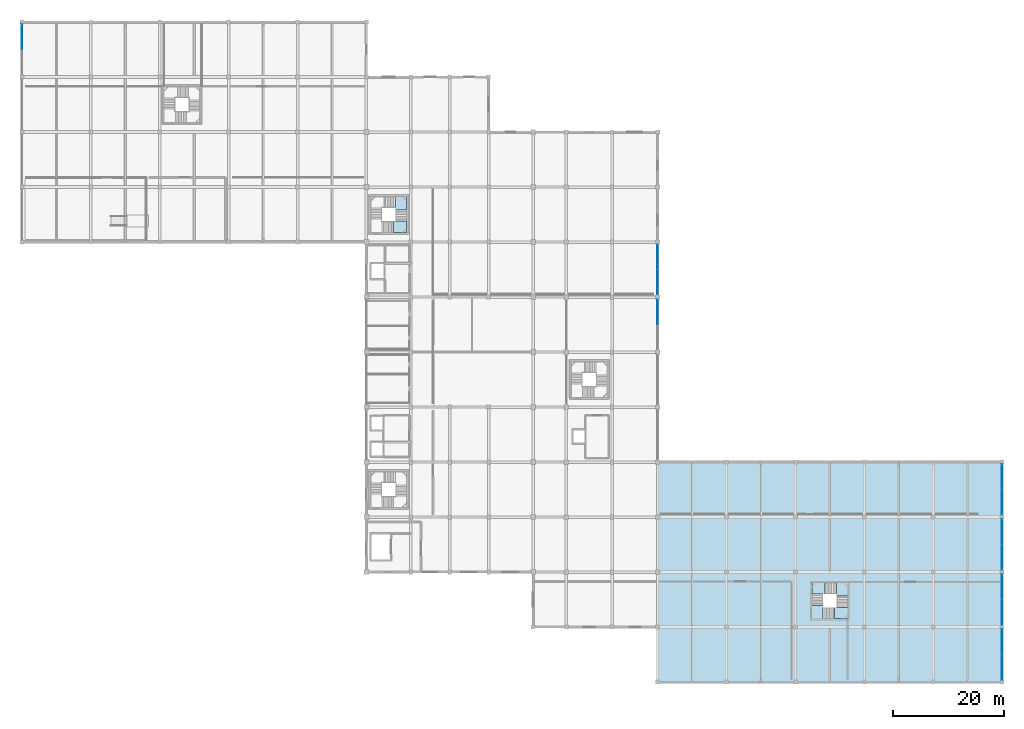
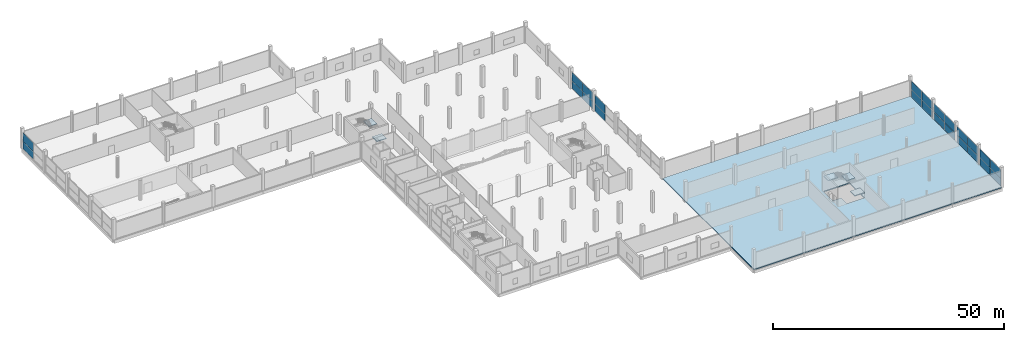
# One storey, part 41 of 72: 24 plates, 6 slabs, 9 elements without a shape of their own.
"""IFC4 building model written with IfcOpenShell, lengths in metres."""

from ifc_helpers import new_model, si_unit, direction, frame, origin, origin_2d, place, context, subcontext, project, spatial, polyline, rectangle, outline, extrude, material, layer, layer_set, type_object, element, aggregate, save


model = new_model("IFC4")

# Units and contexts
model_context = context("Model", 3, precision=1e-05, world=origin(), true_north=direction((0.0, 1.0)))
body_context = subcontext(model_context, "Body", "Model", "MODEL_VIEW")
ifc_project = project(units=[si_unit("LENGTHUNIT", "METRE"), si_unit("AREAUNIT", "SQUARE_METRE"), si_unit("VOLUMEUNIT", "CUBIC_METRE"), si_unit("PLANEANGLEUNIT", "RADIAN"), si_unit("MASSUNIT", "GRAM", prefix="KILO")], contexts=[model_context])

# Site, building, storey
site_placement = place(None, origin())
site = spatial("IfcSite", under=ifc_project, at=site_placement, CompositionType="ELEMENT")
building_placement = place(site_placement, origin())
building = spatial("IfcBuilding", under=site, at=building_placement, Name="Sillaruma Civic Art Gallery", CompositionType="ELEMENT")
storey_placement = place(building_placement, frame((0.0, 0.0, 10.8798828125)))
storey = spatial("IfcBuildingStorey", under=building, at=storey_placement, Name="L02", CompositionType="ELEMENT", Elevation=10.8798828125)

# Curtain wall, plates
ifc_material_1 = material(Name="Thermally Broken Extruded Aluminium 6063-T6", Category="aluminium")
ifc_layer_1 = layer(ifc_material_1, 0.139892578125, Name="Thermally Broken Extruded Aluminium 6063-T6")
ifc_layer_set_1 = layer_set([ifc_layer_1], Name="Thermally Broken Extruded Aluminium 6063-T6")
curtain_wall_type_1 = type_object("IfcCurtainWallType", Name="CW-UNI-18", PredefinedType="NOTDEFINED", material=ifc_layer_set_1)
curtain_wall_1_placement = place(storey_placement, origin())
curtain_wall_1 = element("IfcCurtainWall", 1, at=curtain_wall_1_placement, inside=storey, type_object=curtain_wall_type_1, Name="Unitised Curtain Wall CW-18 (CW-L02-SPE-6)", PredefinedType="NOTDEFINED")
ifc_material_2 = material(Name="Low-E UV-Filtered Laminated Insulating Glass", Category="glass")
ifc_layer_2 = layer(ifc_material_2, 0.028076171875, Name="Low-E UV-Filtered Laminated Insulating Glass")
ifc_layer_set_2 = layer_set([ifc_layer_2], Name="Low-E UV-Filtered Laminated Insulating Glass")
plate_type_1 = type_object("IfcPlateType", Name="PNL-GLZ-28", PredefinedType="CURTAIN_PANEL", material=ifc_layer_set_2)
plate_1_placement = place(storey_placement, frame((114.39990234375, 71.989990234375, 0.06005859375), z_axis=(0.0, 0.0, 1.0), x_axis=(0.0, 1.0, 0.0)))
plate_1 = element("IfcPlate", 2, at=plate_1_placement, type_object=plate_type_1, Name="CW-18 panel 1.1", PredefinedType="CURTAIN_PANEL", context=body_context, shape_type="SweptSolid", body=[
    extrude(rectangle(XDim=4.4599609375, YDim=0.028076171875, at=origin_2d()), origin(), (0.0, 0.0, 1.0), 1.9248046875),
])
plate_2_placement = place(storey_placement, frame((114.39990234375, 71.989990234375, 2.044921875), z_axis=(0.0, 0.0, 1.0), x_axis=(0.0, 1.0, 0.0)))
plate_2 = element("IfcPlate", 3, at=plate_2_placement, type_object=plate_type_1, Name="CW-18 panel 1.2", PredefinedType="CURTAIN_PANEL", context=body_context, shape_type="SweptSolid", body=[
    extrude(rectangle(XDim=4.4599609375, YDim=0.028076171875, at=origin_2d()), origin(), (0.0, 0.0, 1.0), 2.275146484375),
])
plate_3_placement = place(storey_placement, frame((114.39990234375, 76.510009765625, 0.06005859375), z_axis=(0.0, 0.0, 1.0), x_axis=(0.0, 1.0, 0.0)))
plate_3 = element("IfcPlate", 4, at=plate_3_placement, type_object=plate_type_1, Name="CW-18 panel 2.1", PredefinedType="CURTAIN_PANEL", context=body_context, shape_type="SweptSolid", body=[
    extrude(rectangle(XDim=4.4599609375, YDim=0.028076171875, at=origin_2d()), origin(), (0.0, 0.0, 1.0), 1.9248046875),
])
plate_4_placement = place(storey_placement, frame((114.39990234375, 76.510009765625, 2.044921875), z_axis=(0.0, 0.0, 1.0), x_axis=(0.0, 1.0, 0.0)))
plate_4 = element("IfcPlate", 5, at=plate_4_placement, type_object=plate_type_1, Name="CW-18 panel 2.2", PredefinedType="CURTAIN_PANEL", context=body_context, shape_type="SweptSolid", body=[
    extrude(rectangle(XDim=4.4599609375, YDim=0.028076171875, at=origin_2d()), origin(), (0.0, 0.0, 1.0), 2.275146484375),
])
aggregate(curtain_wall_1, [plate_1, plate_2, plate_3, plate_4])

ifc_layer_3 = layer(ifc_material_1, 0.159912109375, Name="Thermally Broken Extruded Aluminium 6063-T6")
ifc_layer_set_3 = layer_set([ifc_layer_3], Name="Thermally Broken Extruded Aluminium 6063-T6")
curtain_wall_type_2 = type_object("IfcCurtainWallType", Name="CW-UNI-10", PredefinedType="NOTDEFINED", material=ifc_layer_set_3)
curtain_wall_2_placement = place(storey_placement, origin())
curtain_wall_2 = element("IfcCurtainWall", 6, at=curtain_wall_2_placement, inside=storey, type_object=curtain_wall_type_2, Name="Unitised Curtain Wall CW-10 (CW-L02-ESTR-1)", PredefinedType="NOTDEFINED")
ifc_layer_4 = layer(ifc_material_2, 0.030029296875, Name="Low-E UV-Filtered Laminated Insulating Glass")
ifc_layer_set_4 = layer_set([ifc_layer_4], Name="Low-E UV-Filtered Laminated Insulating Glass")
plate_type_2 = type_object("IfcPlateType", Name="PNL-GLZ-30", PredefinedType="CURTAIN_PANEL", material=ifc_layer_set_4)
plate_5_placement = place(storey_placement, frame((176.39990234375, 2.666259765625, 0.06005859375), z_axis=(0.0, 0.0, 1.0), x_axis=(0.0, 1.0, 0.0)))
plate_5 = element("IfcPlate", 7, at=plate_5_placement, type_object=plate_type_2, Name="CW-10 panel 1.1", PredefinedType="CURTAIN_PANEL", context=body_context, shape_type="SweptSolid", body=[
    extrude(rectangle(XDim=4.50244140625, YDim=0.030029296875, at=origin_2d()), origin(), (0.0, 0.0, 1.0), 1.9248046875),
])
plate_6_placement = place(storey_placement, frame((176.39990234375, 2.666259765625, 2.044921875), z_axis=(0.0, 0.0, 1.0), x_axis=(0.0, 1.0, 0.0)))
plate_6 = element("IfcPlate", 8, at=plate_6_placement, type_object=plate_type_2, Name="CW-10 panel 1.2", PredefinedType="CURTAIN_PANEL", context=body_context, shape_type="SweptSolid", body=[
    extrude(rectangle(XDim=4.50244140625, YDim=0.030029296875, at=origin_2d()), origin(), (0.0, 0.0, 1.0), 2.275146484375),
])
plate_7_placement = place(storey_placement, frame((176.39990234375, 7.233642578125, 0.06005859375), z_axis=(0.0, 0.0, 1.0), x_axis=(0.0, 1.0, 0.0)))
plate_7 = element("IfcPlate", 9, at=plate_7_placement, type_object=plate_type_2, Name="CW-10 panel 2.1", PredefinedType="CURTAIN_PANEL", context=body_context, shape_type="SweptSolid", body=[
    extrude(rectangle(XDim=4.50244140625, YDim=0.030029296875, at=origin_2d()), origin(), (0.0, 0.0, 1.0), 1.9248046875),
])
plate_8_placement = place(storey_placement, frame((176.39990234375, 7.233642578125, 2.044921875), z_axis=(0.0, 0.0, 1.0), x_axis=(0.0, 1.0, 0.0)))
plate_8 = element("IfcPlate", 10, at=plate_8_placement, type_object=plate_type_2, Name="CW-10 panel 2.2", PredefinedType="CURTAIN_PANEL", context=body_context, shape_type="SweptSolid", body=[
    extrude(rectangle(XDim=4.50244140625, YDim=0.030029296875, at=origin_2d()), origin(), (0.0, 0.0, 1.0), 2.275146484375),
])
aggregate(curtain_wall_2, [plate_5, plate_6, plate_7, plate_8])

ifc_layer_5 = layer(ifc_material_1, 0.159912109375, Name="Thermally Broken Extruded Aluminium 6063-T6")
ifc_layer_set_5 = layer_set([ifc_layer_5], Name="Thermally Broken Extruded Aluminium 6063-T6")
curtain_wall_type_3 = type_object("IfcCurtainWallType", Name="CW-UNI-07", PredefinedType="NOTDEFINED", material=ifc_layer_set_5)
curtain_wall_3_placement = place(storey_placement, origin())
curtain_wall_3 = element("IfcCurtainWall", 11, at=curtain_wall_3_placement, inside=storey, type_object=curtain_wall_type_3, Name="Unitised Curtain Wall CW-07 (CW-L02-ESTR-4)", PredefinedType="NOTDEFINED")
ifc_layer_6 = layer(ifc_material_2, 0.031982421875, Name="Low-E UV-Filtered Laminated Insulating Glass")
ifc_layer_set_6 = layer_set([ifc_layer_6], Name="Low-E UV-Filtered Laminated Insulating Glass")
plate_type_3 = type_object("IfcPlateType", Name="PNL-GLZ-32", PredefinedType="CURTAIN_PANEL", material=ifc_layer_set_6)
plate_9_placement = place(storey_placement, frame((176.39990234375, 32.3662109375, 0.06494140625), z_axis=(0.0, 0.0, 1.0), x_axis=(0.0, 1.0, 0.0)))
plate_9 = element("IfcPlate", 12, at=plate_9_placement, type_object=plate_type_3, Name="CW-07 panel 1.1", PredefinedType="CURTAIN_PANEL", context=body_context, shape_type="SweptSolid", body=[
    extrude(rectangle(XDim=4.50244140625, YDim=0.031982421875, at=origin_2d()), origin(), (0.0, 0.0, 1.0), 1.917236328125),
])
plate_10_placement = place(storey_placement, frame((176.39990234375, 32.3662109375, 2.04736328125), z_axis=(0.0, 0.0, 1.0), x_axis=(0.0, 1.0, 0.0)))
plate_10 = element("IfcPlate", 13, at=plate_10_placement, type_object=plate_type_3, Name="CW-07 panel 1.2", PredefinedType="CURTAIN_PANEL", context=body_context, shape_type="SweptSolid", body=[
    extrude(rectangle(XDim=4.50244140625, YDim=0.031982421875, at=origin_2d()), origin(), (0.0, 0.0, 1.0), 2.267578125),
])
plate_11_placement = place(storey_placement, frame((176.39990234375, 36.933837890625, 0.06494140625), z_axis=(0.0, 0.0, 1.0), x_axis=(0.0, 1.0, 0.0)))
plate_11 = element("IfcPlate", 14, at=plate_11_placement, type_object=plate_type_3, Name="CW-07 panel 2.1", PredefinedType="CURTAIN_PANEL", context=body_context, shape_type="SweptSolid", body=[
    extrude(rectangle(XDim=4.50244140625, YDim=0.031982421875, at=origin_2d()), origin(), (0.0, 0.0, 1.0), 1.917236328125),
])
plate_12_placement = place(storey_placement, frame((176.39990234375, 36.933837890625, 2.04736328125), z_axis=(0.0, 0.0, 1.0), x_axis=(0.0, 1.0, 0.0)))
plate_12 = element("IfcPlate", 15, at=plate_12_placement, type_object=plate_type_3, Name="CW-07 panel 2.2", PredefinedType="CURTAIN_PANEL", context=body_context, shape_type="SweptSolid", body=[
    extrude(rectangle(XDim=4.50244140625, YDim=0.031982421875, at=origin_2d()), origin(), (0.0, 0.0, 1.0), 2.267578125),
])
aggregate(curtain_wall_3, [plate_9, plate_10, plate_11, plate_12])

ifc_layer_7 = layer(ifc_material_1, 0.159912109375, Name="Thermally Broken Extruded Aluminium 6063-T6")
ifc_layer_set_7 = layer_set([ifc_layer_7], Name="Thermally Broken Extruded Aluminium 6063-T6")
curtain_wall_type_4 = type_object("IfcCurtainWallType", Name="CW-UNI-17", PredefinedType="NOTDEFINED", material=ifc_layer_set_7)
curtain_wall_4_placement = place(storey_placement, origin())
curtain_wall_4 = element("IfcCurtainWall", 16, at=curtain_wall_4_placement, inside=storey, type_object=curtain_wall_type_4, Name="Unitised Curtain Wall CW-17 (CW-L02-SPE-5)", PredefinedType="NOTDEFINED")
plate_13_placement = place(storey_placement, frame((114.39990234375, 66.608642578125, 0.06494140625), z_axis=(0.0, 0.0, 1.0), x_axis=(0.0, 1.0, 0.0)))
plate_13 = element("IfcPlate", 17, at=plate_13_placement, type_object=plate_type_3, Name="CW-17 panel 2.1", PredefinedType="CURTAIN_PANEL", context=body_context, shape_type="SweptSolid", body=[
    extrude(rectangle(XDim=4.452392578125, YDim=0.031982421875, at=origin_2d()), origin(), (0.0, 0.0, 1.0), 1.917236328125),
])
plate_14_placement = place(storey_placement, frame((114.39990234375, 66.608642578125, 2.04736328125), z_axis=(0.0, 0.0, 1.0), x_axis=(0.0, 1.0, 0.0)))
plate_14 = element("IfcPlate", 18, at=plate_14_placement, type_object=plate_type_3, Name="CW-17 panel 2.2", PredefinedType="CURTAIN_PANEL", context=body_context, shape_type="SweptSolid", body=[
    extrude(rectangle(XDim=4.452392578125, YDim=0.031982421875, at=origin_2d()), origin(), (0.0, 0.0, 1.0), 2.267578125),
])
aggregate(curtain_wall_4, [plate_13, plate_14])

ifc_layer_8 = layer(ifc_material_1, 0.139892578125, Name="Thermally Broken Extruded Aluminium 6063-T6")
ifc_layer_set_8 = layer_set([ifc_layer_8], Name="Thermally Broken Extruded Aluminium 6063-T6")
curtain_wall_type_5 = type_object("IfcCurtainWallType", Name="CW-UNI-11", PredefinedType="NOTDEFINED", material=ifc_layer_set_8)
curtain_wall_5_placement = place(storey_placement, origin())
curtain_wall_5 = element("IfcCurtainWall", 19, at=curtain_wall_5_placement, inside=storey, type_object=curtain_wall_type_5, Name="Unitised Curtain Wall CW-11 (CW-L02-WSTR-4)", PredefinedType="NOTDEFINED")
ifc_layer_9 = layer(ifc_material_2, 0.033935546875, Name="Low-E UV-Filtered Laminated Insulating Glass")
ifc_layer_set_9 = layer_set([ifc_layer_9], Name="Low-E UV-Filtered Laminated Insulating Glass")
plate_type_4 = type_object("IfcPlateType", Name="PNL-GLZ-34", PredefinedType="CURTAIN_PANEL", material=ifc_layer_set_9)
plate_15_placement = place(storey_placement, frame((0.0, 116.135009765625, 0.06494140625), z_axis=(0.0, 0.0, 1.0), x_axis=(0.0, 1.0, 0.0)))
plate_15 = element("IfcPlate", 20, at=plate_15_placement, type_object=plate_type_4, Name="CW-11 panel 2.1", PredefinedType="CURTAIN_PANEL", context=body_context, shape_type="SweptSolid", body=[
    extrude(rectangle(XDim=4.510009765625, YDim=0.033935546875, at=origin_2d()), origin(), (0.0, 0.0, 1.0), 1.917236328125),
])
plate_16_placement = place(storey_placement, frame((0.0, 116.135009765625, 2.04736328125), z_axis=(0.0, 0.0, 1.0), x_axis=(0.0, 1.0, 0.0)))
plate_16 = element("IfcPlate", 21, at=plate_16_placement, type_object=plate_type_4, Name="CW-11 panel 2.2", PredefinedType="CURTAIN_PANEL", context=body_context, shape_type="SweptSolid", body=[
    extrude(rectangle(XDim=4.510009765625, YDim=0.033935546875, at=origin_2d()), origin(), (0.0, 0.0, 1.0), 2.267578125),
])
aggregate(curtain_wall_5, [plate_15, plate_16])

curtain_wall_6_placement = place(storey_placement, origin())
curtain_wall_6 = element("IfcCurtainWall", 22, at=curtain_wall_6_placement, inside=storey, type_object=curtain_wall_type_5, Name="Unitised Curtain Wall CW-11 (CW-L02-ESTR-2)", PredefinedType="NOTDEFINED")
plate_17_placement = place(storey_placement, frame((176.39990234375, 12.56494140625, 0.06494140625), z_axis=(0.0, 0.0, 1.0), x_axis=(0.0, 1.0, 0.0)))
plate_17 = element("IfcPlate", 23, at=plate_17_placement, type_object=plate_type_4, Name="CW-11 panel 1.1", PredefinedType="CURTAIN_PANEL", context=body_context, shape_type="SweptSolid", body=[
    extrude(rectangle(XDim=4.510009765625, YDim=0.033935546875, at=origin_2d()), origin(), (0.0, 0.0, 1.0), 1.917236328125),
])
plate_18_placement = place(storey_placement, frame((176.39990234375, 12.56494140625, 2.04736328125), z_axis=(0.0, 0.0, 1.0), x_axis=(0.0, 1.0, 0.0)))
plate_18 = element("IfcPlate", 24, at=plate_18_placement, type_object=plate_type_4, Name="CW-11 panel 1.2", PredefinedType="CURTAIN_PANEL", context=body_context, shape_type="SweptSolid", body=[
    extrude(rectangle(XDim=4.510009765625, YDim=0.033935546875, at=origin_2d()), origin(), (0.0, 0.0, 1.0), 2.267578125),
])
plate_19_placement = place(storey_placement, frame((176.39990234375, 17.135009765625, 0.06494140625), z_axis=(0.0, 0.0, 1.0), x_axis=(0.0, 1.0, 0.0)))
plate_19 = element("IfcPlate", 25, at=plate_19_placement, type_object=plate_type_4, Name="CW-11 panel 2.1", PredefinedType="CURTAIN_PANEL", context=body_context, shape_type="SweptSolid", body=[
    extrude(rectangle(XDim=4.510009765625, YDim=0.033935546875, at=origin_2d()), origin(), (0.0, 0.0, 1.0), 1.917236328125),
])
plate_20_placement = place(storey_placement, frame((176.39990234375, 17.135009765625, 2.04736328125), z_axis=(0.0, 0.0, 1.0), x_axis=(0.0, 1.0, 0.0)))
plate_20 = element("IfcPlate", 26, at=plate_20_placement, type_object=plate_type_4, Name="CW-11 panel 2.2", PredefinedType="CURTAIN_PANEL", context=body_context, shape_type="SweptSolid", body=[
    extrude(rectangle(XDim=4.510009765625, YDim=0.033935546875, at=origin_2d()), origin(), (0.0, 0.0, 1.0), 2.267578125),
])
aggregate(curtain_wall_6, [plate_17, plate_18, plate_19, plate_20])

ifc_layer_10 = layer(ifc_material_1, 0.179931640625, Name="Thermally Broken Extruded Aluminium 6063-T6")
ifc_layer_set_10 = layer_set([ifc_layer_10], Name="Thermally Broken Extruded Aluminium 6063-T6")
curtain_wall_type_6 = type_object("IfcCurtainWallType", Name="CW-UNI-12", PredefinedType="NOTDEFINED", material=ifc_layer_set_10)
curtain_wall_7_placement = place(storey_placement, origin())
curtain_wall_7 = element("IfcCurtainWall", 27, at=curtain_wall_7_placement, inside=storey, type_object=curtain_wall_type_6, Name="Unitised Curtain Wall CW-12 (CW-L02-ESTR-3)", PredefinedType="NOTDEFINED")
ifc_layer_11 = layer(ifc_material_2, 0.035888671875, Name="Low-E UV-Filtered Laminated Insulating Glass")
ifc_layer_set_11 = layer_set([ifc_layer_11], Name="Low-E UV-Filtered Laminated Insulating Glass")
plate_type_5 = type_object("IfcPlateType", Name="PNL-GLZ-36", PredefinedType="CURTAIN_PANEL", material=ifc_layer_set_11)
plate_21_placement = place(storey_placement, frame((176.39990234375, 22.467529296875, 0.06982421875), z_axis=(0.0, 0.0, 1.0), x_axis=(0.0, 1.0, 0.0)))
plate_21 = element("IfcPlate", 28, at=plate_21_placement, type_object=plate_type_5, Name="CW-12 panel 1.1", PredefinedType="CURTAIN_PANEL", context=body_context, shape_type="SweptSolid", body=[
    extrude(rectangle(XDim=4.4951171875, YDim=0.035888671875, at=origin_2d()), origin(), (0.0, 0.0, 1.0), 1.909912109375),
])
plate_22_placement = place(storey_placement, frame((176.39990234375, 22.467529296875, 2.0498046875), z_axis=(0.0, 0.0, 1.0), x_axis=(0.0, 1.0, 0.0)))
plate_22 = element("IfcPlate", 29, at=plate_22_placement, type_object=plate_type_5, Name="CW-12 panel 1.2", PredefinedType="CURTAIN_PANEL", context=body_context, shape_type="SweptSolid", body=[
    extrude(rectangle(XDim=4.4951171875, YDim=0.035888671875, at=origin_2d()), origin(), (0.0, 0.0, 1.0), 2.26025390625),
])
plate_23_placement = place(storey_placement, frame((176.39990234375, 27.032470703125, 0.06982421875), z_axis=(0.0, 0.0, 1.0), x_axis=(0.0, 1.0, 0.0)))
plate_23 = element("IfcPlate", 30, at=plate_23_placement, type_object=plate_type_5, Name="CW-12 panel 2.1", PredefinedType="CURTAIN_PANEL", context=body_context, shape_type="SweptSolid", body=[
    extrude(rectangle(XDim=4.4951171875, YDim=0.035888671875, at=origin_2d()), origin(), (0.0, 0.0, 1.0), 1.909912109375),
])
plate_24_placement = place(storey_placement, frame((176.39990234375, 27.032470703125, 2.0498046875), z_axis=(0.0, 0.0, 1.0), x_axis=(0.0, 1.0, 0.0)))
plate_24 = element("IfcPlate", 31, at=plate_24_placement, type_object=plate_type_5, Name="CW-12 panel 2.2", PredefinedType="CURTAIN_PANEL", context=body_context, shape_type="SweptSolid", body=[
    extrude(rectangle(XDim=4.4951171875, YDim=0.035888671875, at=origin_2d()), origin(), (0.0, 0.0, 1.0), 2.26025390625),
])
aggregate(curtain_wall_7, [plate_21, plate_22, plate_23, plate_24])

# Slab
ifc_material_3 = material(Name="Concrete H35 (35 MPa)", Category="concrete")
ifc_layer_12 = layer(ifc_material_3, 0.260009765625, Name="Concrete H35 (35 MPa)")
ifc_layer_set_12 = layer_set([ifc_layer_12], Name="Concrete H35 (35 MPa)")
slab_type_1 = type_object("IfcSlabType", Name="SLB-FLR-260", PredefinedType="FLOOR", material=ifc_layer_set_12)
slab_1_placement = place(storey_placement, frame((0.0, 0.0, -0.259765625)))
element("IfcSlab", 32, at=slab_1_placement, inside=storey, type_object=slab_type_1, Name="Floor Slab SF-260 (SLB-L02-EAST)", PredefinedType="FLOOR", context=body_context, shape_type="SweptSolid", body=[
    extrude(outline(polyline([(114.39990234375, 0.0), (176.39990234375, 0.0), (176.39990234375, 39.60009765625), (114.39990234375, 39.60009765625), (114.39990234375, 0.0)]), holes=[polyline([(144.215087890625, 11.39990234375), (148.639892578125, 11.39990234375), (148.639892578125, 17.8798828125), (142.159912109375, 17.8798828125), (142.159912109375, 13.824951171875), (144.215087890625, 13.824951171875), (144.215087890625, 11.39990234375)])]), origin(), (0.0, 0.0, 1.0), 0.259765625),
])

# Stair, slabs
stair_type = type_object("IfcStairType", Name="STR-4F-32", PredefinedType="USERDEFINED", material=ifc_material_3)
stair_1_placement = place(storey_placement, origin())
stair_1 = element("IfcStair", 33, at=stair_1_placement, inside=storey, type_object=stair_type, Name="Protected Exit Stair ST-02 (West Bar North) (L02)", ObjectType="THREE_RETURN_STAIR", PredefinedType="USERDEFINED")
ifc_layer_13 = layer(ifc_material_3, 0.199951171875, Name="Concrete H35 (35 MPa)")
ifc_layer_set_13 = layer_set([ifc_layer_13], Name="Concrete H35 (35 MPa)")
slab_type_2 = type_object("IfcSlabType", Name="SLB-LND-200", PredefinedType="LANDING", material=ifc_layer_set_13)
slab_2_placement = place(storey_placement, frame((0.0, 0.0, 1.16015625)))
slab_2 = element("IfcSlab", 34, at=slab_2_placement, type_object=slab_type_2, Name="ST-02 landing 1", PredefinedType="LANDING", context=body_context, shape_type="SweptSolid", body=[
    extrude(outline(polyline([(66.830078125, 80.909912109375), (69.239990234375, 80.909912109375), (69.239990234375, 82.949951171875), (66.830078125, 82.949951171875), (66.830078125, 80.909912109375)])), origin(), (0.0, 0.0, 1.0), 0.199951171875),
])
slab_3_placement = place(storey_placement, frame((0.0, 0.0, 2.52001953125)))
slab_3 = element("IfcSlab", 35, at=slab_3_placement, type_object=slab_type_2, Name="ST-02 landing 2", PredefinedType="LANDING", context=body_context, shape_type="SweptSolid", body=[
    extrude(outline(polyline([(67.199951171875, 84.97998046875), (69.239990234375, 84.97998046875), (69.239990234375, 87.389892578125), (67.199951171875, 87.389892578125), (67.199951171875, 84.97998046875)])), origin(), (0.0, 0.0, 1.0), 0.2001953125),
])
aggregate(stair_1, [slab_2, slab_3])

stair_2_placement = place(storey_placement, origin())
stair_2 = element("IfcStair", 36, at=stair_2_placement, inside=storey, type_object=stair_type, Name="Protected Exit Stair ST-05 (East Wing) (L02)", ObjectType="THREE_RETURN_STAIR", PredefinedType="USERDEFINED")
slab_4_placement = place(storey_placement, frame((0.0, 0.0, 1.16015625)))
slab_4 = element("IfcSlab", 37, at=slab_4_placement, type_object=slab_type_2, Name="ST-05 landing 1", PredefinedType="LANDING", context=body_context, shape_type="SweptSolid", body=[
    extrude(outline(polyline([(146.22998046875, 11.39990234375), (148.639892578125, 11.39990234375), (148.639892578125, 13.43994140625), (146.22998046875, 13.43994140625), (146.22998046875, 11.39990234375)])), origin(), (0.0, 0.0, 1.0), 0.199951171875),
])
slab_5_placement = place(storey_placement, frame((0.0, 0.0, 2.52001953125)))
slab_5 = element("IfcSlab", 38, at=slab_5_placement, type_object=slab_type_2, Name="ST-05 landing 2", PredefinedType="LANDING", context=body_context, shape_type="SweptSolid", body=[
    extrude(outline(polyline([(146.60009765625, 15.469970703125), (148.639892578125, 15.469970703125), (148.639892578125, 17.8798828125), (146.60009765625, 17.8798828125), (146.60009765625, 15.469970703125)])), origin(), (0.0, 0.0, 1.0), 0.2001953125),
])
slab_6_placement = place(storey_placement, frame((0.0, 0.0, 3.880126953125)))
slab_6 = element("IfcSlab", 39, at=slab_6_placement, type_object=slab_type_2, Name="ST-05 landing 3", PredefinedType="LANDING", context=body_context, shape_type="SweptSolid", body=[
    extrude(outline(polyline([(142.159912109375, 15.840087890625), (144.570068359375, 15.840087890625), (144.570068359375, 17.8798828125), (142.159912109375, 17.8798828125), (142.159912109375, 15.840087890625)])), origin(), (0.0, 0.0, 1.0), 0.199951171875),
])
aggregate(stair_2, [slab_4, slab_5, slab_6])

save(model, "model.ifc")
